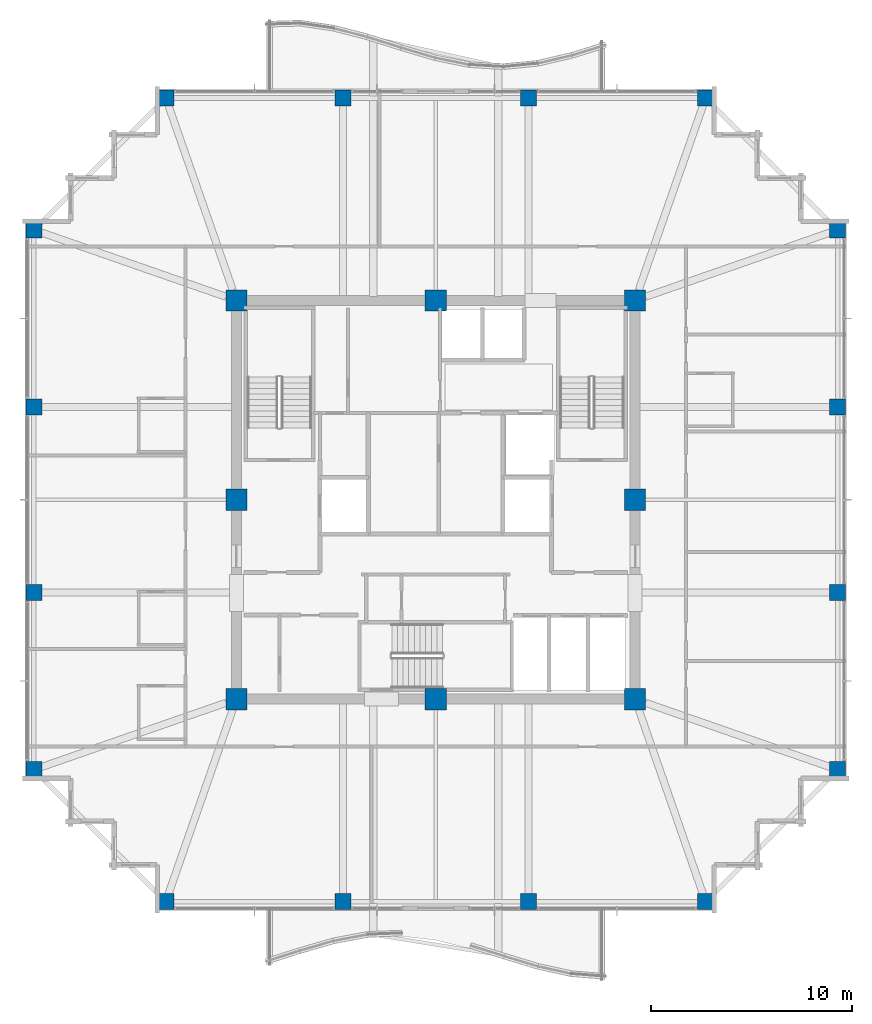
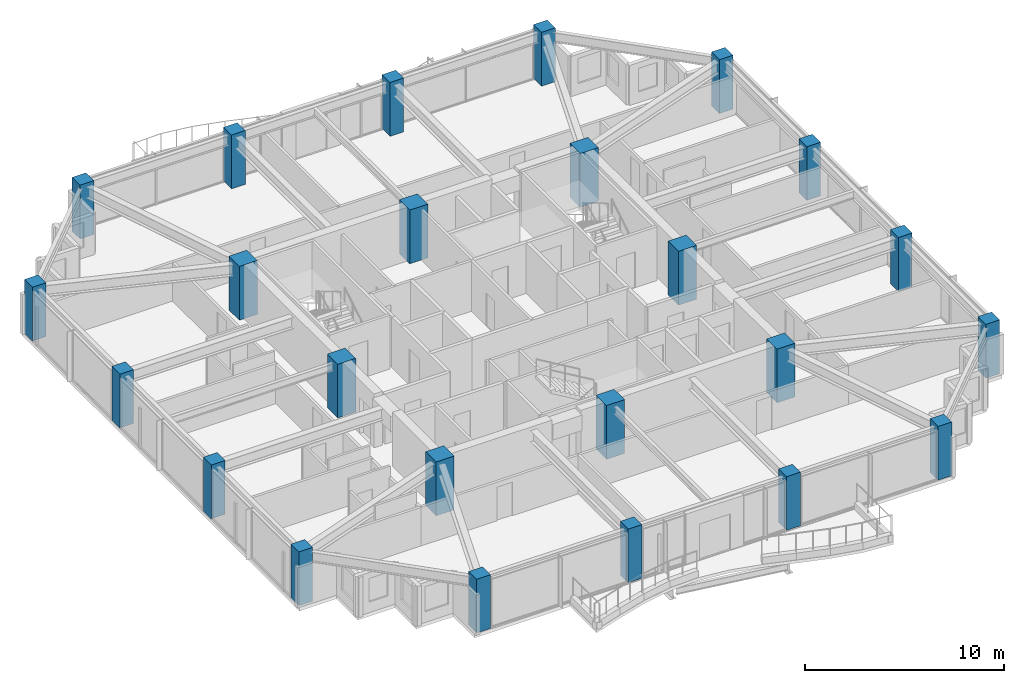
# One storey, part 1 of 36: 24 columns.
"""IFC4 building model written with IfcOpenShell, lengths in metres."""

from ifc_helpers import new_model, si_unit, direction, frame, origin, origin_2d, place, context, subcontext, project, spatial, rectangle, extrude, material, material_profile, profile_set, type_object, element, save


model = new_model("IFC4")

# Units and contexts
model_context = context("Model", 3, precision=1e-05, world=origin(), true_north=direction((0.0, 1.0)))
body_context = subcontext(model_context, "Body", "Model", "MODEL_VIEW")
ifc_project = project(units=[si_unit("LENGTHUNIT", "METRE"), si_unit("AREAUNIT", "SQUARE_METRE"), si_unit("VOLUMEUNIT", "CUBIC_METRE"), si_unit("PLANEANGLEUNIT", "RADIAN"), si_unit("MASSUNIT", "GRAM", prefix="KILO")], contexts=[model_context])

# Site, building, storey
site_placement = place(None, origin())
site = spatial("IfcSite", under=ifc_project, at=site_placement, CompositionType="ELEMENT")
building_placement = place(site_placement, origin())
building = spatial("IfcBuilding", under=site, at=building_placement, Name="Kolvaren Belvedere", CompositionType="ELEMENT")
storey_placement = place(building_placement, frame((0.0, 0.0, 193.199951171875)))
storey = spatial("IfcBuildingStorey", under=building, at=storey_placement, Name="L56", CompositionType="ELEMENT", Elevation=193.199951171875)

# Columns
ifc_material_1 = material(Name="Concrete C50/60", Category="concrete")
ifc_material_profile_1 = material_profile(ifc_material_1, rectangle(XDim=1.050048828125, YDim=1.050048828125, at=origin_2d()), Name="RC 1050X1050")
ifc_profile_set_1 = profile_set([ifc_material_profile_1], Name="Concrete C50/60")
column_type_1 = type_object("IfcColumnType", Name="COL-RC-1050", PredefinedType="COLUMN", material=ifc_profile_set_1)
for number, where, z_axis, x_axis, name in (
    (1, (-9.89990234375, -9.89990234375, 0.0), (0.0, 0.0, 1.0), (1.0, 0.0, 0.0), "L56 Core Column CC1"),
    (2, (9.89990234375, -9.89990234375, 0.0), (0.0, 0.0, 1.0), (1.0, 0.0, 0.0), "L56 Core Column CC2"),
    (3, (9.89990234375, 9.89990234375, 0.0), (0.0, 0.0, 1.0), (1.0, 0.0, 0.0), "L56 Core Column CC3"),
    (4, (-9.89990234375, 9.89990234375, 0.0), (0.0, 0.0, 1.0), (1.0, 0.0, 0.0), "L56 Core Column CC4"),
    (5, (0.0, -9.89990234375, 0.0), (0.0, 0.0, 1.0), (1.0, 0.0, 0.0), "L56 Core Column CM1"),
    (6, (9.89990234375, 0.0, 0.0), (0.0, 0.0, 1.0), (1.0, 0.0, 0.0), "L56 Core Column CM2"),
    (7, (0.0, 9.89990234375, 0.0), (0.0, 0.0, 1.0), (1.0, 0.0, 0.0), "L56 Core Column CM3"),
    (8, (-9.89990234375, 0.0, 0.0), (0.0, 0.0, 1.0), (1.0, 0.0, 0.0), "L56 Core Column CM4"),
):
    element("IfcColumn", number, at=place(storey_placement, frame(where, z_axis=z_axis, x_axis=x_axis)), inside=storey, type_object=column_type_1, Name=name, PredefinedType="COLUMN", context=body_context, shape_type="SweptSolid", body=[
        extrude(rectangle(XDim=1.050048828125, YDim=1.050048828125, at=origin_2d()), origin(), (0.0, 0.0, 1.0), 3.300048828125),
    ])
ifc_material_2 = material(Name="Concrete C50/60", Category="concrete")
ifc_material_profile_2 = material_profile(ifc_material_2, rectangle(XDim=0.800048828125, YDim=0.800048828125, at=origin_2d()), Name="RC 800X800")
ifc_profile_set_2 = profile_set([ifc_material_profile_2], Name="Concrete C50/60")
column_type_2 = type_object("IfcColumnType", Name="COL-RC-800", PredefinedType="COLUMN", material=ifc_profile_set_2)
for number, where, z_axis, x_axis, name in (
    (9, (-13.39990234375, -19.949951171875, 0.0), (0.0, 0.0, 1.0), (1.0, 0.0, 0.0), "L56 Perimeter Column S1"),
    (10, (-4.60009765625, -19.949951171875, 0.0), (0.0, 0.0, 1.0), (1.0, 0.0, 0.0), "L56 Perimeter Column S2"),
    (11, (4.60009765625, -19.949951171875, 0.0), (0.0, 0.0, 1.0), (1.0, 0.0, 0.0), "L56 Perimeter Column S3"),
    (12, (13.39990234375, -19.949951171875, 0.0), (0.0, 0.0, 1.0), (1.0, 0.0, 0.0), "L56 Perimeter Column S4"),
    (13, (-13.39990234375, 19.949951171875, 0.0), (0.0, 0.0, 1.0), (1.0, 0.0, 0.0), "L56 Perimeter Column N1"),
    (14, (-4.60009765625, 19.949951171875, 0.0), (0.0, 0.0, 1.0), (1.0, 0.0, 0.0), "L56 Perimeter Column N2"),
    (15, (4.60009765625, 19.949951171875, 0.0), (0.0, 0.0, 1.0), (1.0, 0.0, 0.0), "L56 Perimeter Column N3"),
    (16, (13.39990234375, 19.949951171875, 0.0), (0.0, 0.0, 1.0), (1.0, 0.0, 0.0), "L56 Perimeter Column N4"),
    (17, (-19.949951171875, -13.39990234375, 0.0), (0.0, 0.0, 1.0), (1.0, 0.0, 0.0), "L56 Perimeter Column W1"),
    (18, (-19.949951171875, -4.60009765625, 0.0), (0.0, 0.0, 1.0), (1.0, 0.0, 0.0), "L56 Perimeter Column W2"),
    (19, (-19.949951171875, 4.60009765625, 0.0), (0.0, 0.0, 1.0), (1.0, 0.0, 0.0), "L56 Perimeter Column W3"),
    (20, (-19.949951171875, 13.39990234375, 0.0), (0.0, 0.0, 1.0), (1.0, 0.0, 0.0), "L56 Perimeter Column W4"),
    (21, (19.949951171875, -13.39990234375, 0.0), (0.0, 0.0, 1.0), (1.0, 0.0, 0.0), "L56 Perimeter Column E1"),
    (22, (19.949951171875, -4.60009765625, 0.0), (0.0, 0.0, 1.0), (1.0, 0.0, 0.0), "L56 Perimeter Column E2"),
    (23, (19.949951171875, 4.60009765625, 0.0), (0.0, 0.0, 1.0), (1.0, 0.0, 0.0), "L56 Perimeter Column E3"),
    (24, (19.949951171875, 13.39990234375, 0.0), (0.0, 0.0, 1.0), (1.0, 0.0, 0.0), "L56 Perimeter Column E4"),
):
    element("IfcColumn", number, at=place(storey_placement, frame(where, z_axis=z_axis, x_axis=x_axis)), inside=storey, type_object=column_type_2, Name=name, PredefinedType="COLUMN", context=body_context, shape_type="SweptSolid", body=[
        extrude(rectangle(XDim=0.800048828125, YDim=0.800048828125, at=origin_2d()), origin(), (0.0, 0.0, 1.0), 3.300048828125),
    ])

save(model, "model.ifc")
